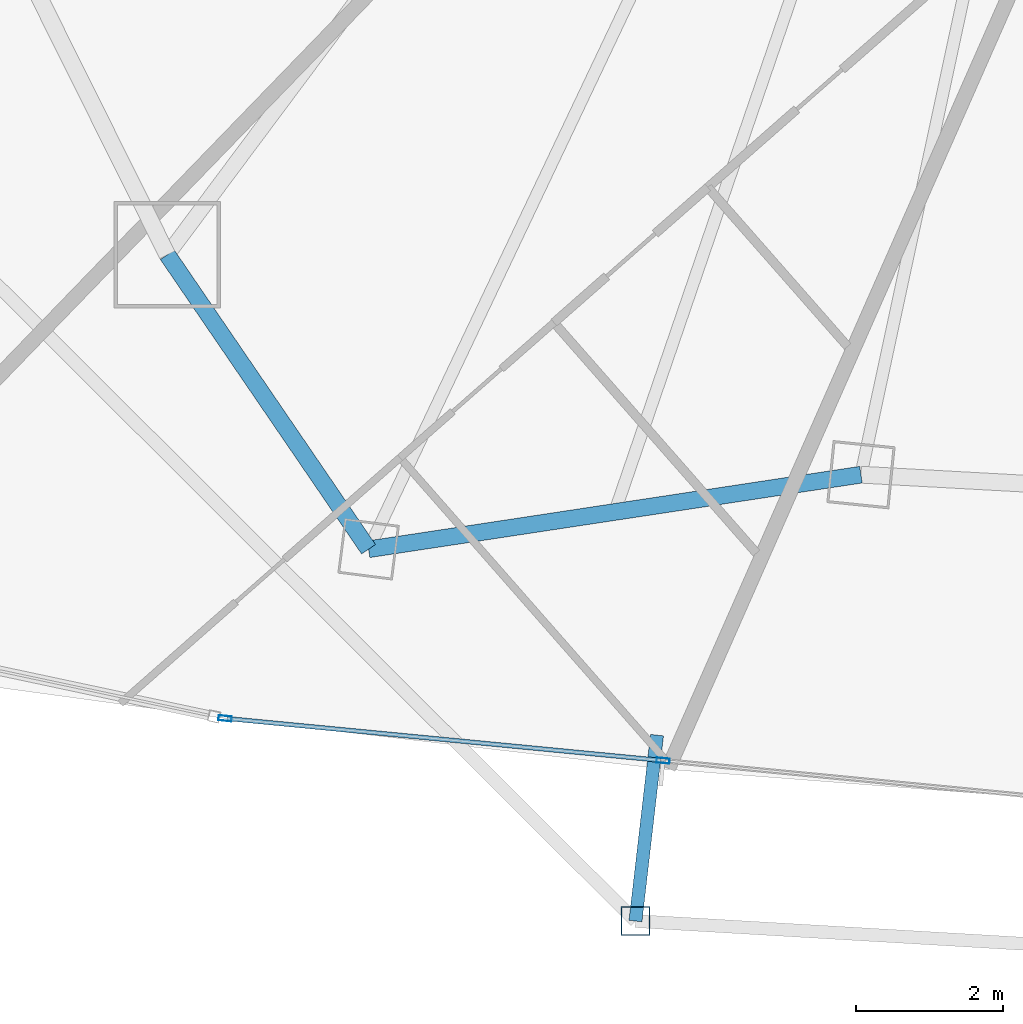
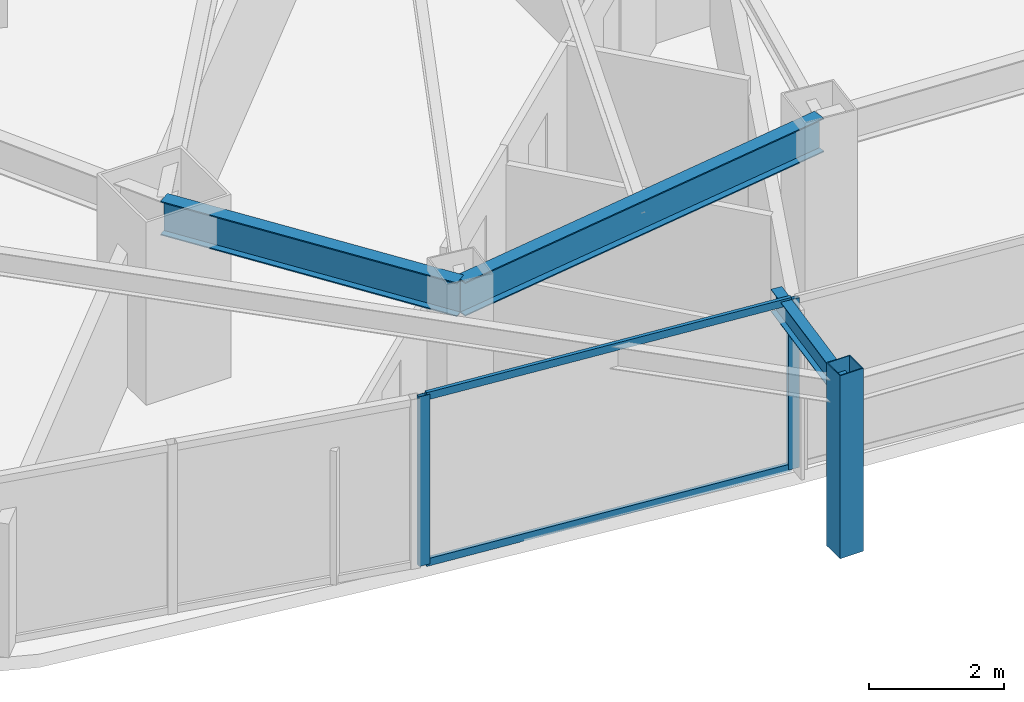
# One storey, part 4 of 31: 5 members, 3 beams, 1 element without a shape of its own.
"""IFC4 building model written with IfcOpenShell, lengths in metres."""

from ifc_helpers import new_model, si_unit, direction, frame, origin, origin_2d, place, context, subcontext, project, spatial, hollow_rectangle, i_section, extrude, material, layer, layer_set, material_profile, profile_set, type_object, element, aggregate, save


model = new_model("IFC4")

# Units and contexts
model_context = context("Model", 3, precision=1e-05, world=origin(), true_north=direction((0.0, 1.0)))
body_context = subcontext(model_context, "Body", "Model", "MODEL_VIEW")
ifc_project = project(units=[si_unit("LENGTHUNIT", "METRE"), si_unit("AREAUNIT", "SQUARE_METRE"), si_unit("VOLUMEUNIT", "CUBIC_METRE"), si_unit("PLANEANGLEUNIT", "RADIAN"), si_unit("MASSUNIT", "GRAM", prefix="KILO")], contexts=[model_context])

# Site, building, storey
site_placement = place(None, origin())
site = spatial("IfcSite", under=ifc_project, at=site_placement, CompositionType="ELEMENT")
building_placement = place(site_placement, origin())
building = spatial("IfcBuilding", under=site, at=building_placement, Name="Orvanel Arch Residences", CompositionType="ELEMENT")
storey_placement = place(building_placement, frame((0.0, 0.0, 110.0)))
storey = spatial("IfcBuildingStorey", under=building, at=storey_placement, Name="L30", CompositionType="ELEMENT", Elevation=110.0)

# Curtain wall, members
ifc_material_1 = material(Name="Bronze-anodised aluminium AA6063-T6", Category="aluminium")
ifc_layer = layer(ifc_material_1, 0.179931640625)
ifc_layer_set = layer_set([ifc_layer], Name="Bronze-anodised aluminium AA6063-T6")
curtain_wall_type = type_object("IfcCurtainWallType", Name="CW3-MID-SYS", PredefinedType="NOTDEFINED", material=ifc_layer_set)
curtain_wall_placement = place(storey_placement, origin())
curtain_wall = element("IfcCurtainWall", 1, at=curtain_wall_placement, inside=storey, type_object=curtain_wall_type, Name="L30 CW3-MID-SYS Unitised Curtain Wall", PredefinedType="NOTDEFINED")
ifc_material_profile_1 = material_profile(ifc_material_1, hollow_rectangle(XDim=0.070068359375, YDim=0.179931640625, WallThickness=0.00439453125, at=origin_2d()), Name="ALU180x70x4.5")
ifc_profile_set_1 = profile_set([ifc_material_profile_1], Name="Bronze-anodised aluminium AA6063-T6")
member_type_1 = type_object("IfcMemberType", Name="MUL-180x70", PredefinedType="MULLION", material=ifc_profile_set_1)
member_1_placement = place(storey_placement, frame((14.98486328125, 4.03564453125, 0.0), z_axis=(0.0, 0.0, 1.0), x_axis=(0.095998315385, 0.995381496434, 0.0)))
member_1 = element("IfcMember", 2, at=member_1_placement, type_object=member_type_1, Name="CW-S3 mullion 1", PredefinedType="MULLION", context=body_context, shape_type="SweptSolid", body=[
    extrude(hollow_rectangle(XDim=0.070068359375, YDim=0.179931640625, WallThickness=0.00439453125, at=origin_2d()), origin(), (0.0, 0.0, 1.0), 3.06005859375),
])
member_2_placement = place(storey_placement, frame((20.95361328125, 3.4599609375, 0.0), z_axis=(0.0, 0.0, 1.0), x_axis=(0.095998315385, 0.995381496434, 0.0)))
member_2 = element("IfcMember", 3, at=member_2_placement, type_object=member_type_1, Name="CW-S3 mullion 2", PredefinedType="MULLION", context=body_context, shape_type="SweptSolid", body=[
    extrude(hollow_rectangle(XDim=0.070068359375, YDim=0.179931640625, WallThickness=0.00439453125, at=origin_2d()), origin(), (0.0, 0.0, 1.0), 3.06005859375),
])

# Beams
ifc_material_2 = material(Name="Structural steel AS/NZS 3679.1 Grade 300 (300 MPa)", Category="steel")
ifc_material_profile_2 = material_profile(ifc_material_2, i_section(OverallWidth=0.177978515625, OverallDepth=0.406005859375, WebThickness=0.0078125, FlangeThickness=0.0126953125, at=origin_2d()), Name="410UB59.7")
ifc_profile_set_2 = profile_set([ifc_material_profile_2], Name="Structural steel AS/NZS 3679.1 Grade 300 (300 MPa)")
beam_type_1 = type_object("IfcBeamType", Name="OB-410UB-EXT", PredefinedType="SPANDREL", material=ifc_profile_set_2)
beam_1_placement = place(storey_placement, frame((20.8701171875, 3.806884765625, 2.85693359375), z_axis=(-0.114991150443, -0.993366516106, 0.0), x_axis=(0.993366516106, -0.114991150443, 0.0)))
element("IfcBeam", 4, at=beam_1_placement, inside=storey, type_object=beam_type_1, Name="L30 Outer Frame Radial Tie Beam 05", PredefinedType="SPANDREL", context=body_context, shape_type="SweptSolid", body=[
    extrude(i_section(OverallWidth=0.177978515625, OverallDepth=0.406005859375, WebThickness=0.0078125, FlangeThickness=0.0126953125, at=origin_2d()), origin(), (0.0, 0.0, 1.0), 2.5498046875),
])
ifc_material_profile_3 = material_profile(ifc_material_2, i_section(OverallWidth=0.22900390625, OverallDepth=0.612060546875, WebThickness=0.011962890625, FlangeThickness=0.01953125, at=origin_2d()), Name="610UB125")
ifc_profile_set_3 = profile_set([ifc_material_profile_3], Name="Structural steel AS/NZS 3679.1 Grade 300 (300 MPa)")
beam_type_2 = type_object("IfcBeamType", Name="SP-610UB", PredefinedType="SPANDREL", material=ifc_profile_set_3)
beam_2_placement = place(storey_placement, frame((14.198974609375, 10.35107421875, 2.75390625), z_axis=(0.564251579852, -0.825602903722, 0.0), x_axis=(0.825602903722, 0.564251579852, 0.0)))
element("IfcBeam", 5, at=beam_2_placement, inside=storey, type_object=beam_type_2, Name="L30 Perimeter Spandrel Beam 03", PredefinedType="SPANDREL", context=body_context, shape_type="SweptSolid", body=[
    extrude(i_section(OverallWidth=0.22900390625, OverallDepth=0.612060546875, WebThickness=0.011962890625, FlangeThickness=0.01953125, at=origin_2d()), origin(), (0.0, 0.0, 1.0), 4.859375),
])
beam_3_placement = place(storey_placement, frame((16.94091796875, 6.339111328125, 2.75390625), z_axis=(0.988726323014, 0.149733958002, 0.0), x_axis=(-0.149733958002, 0.988726323014, 0.0)))
element("IfcBeam", 6, at=beam_3_placement, inside=storey, type_object=beam_type_2, Name="L30 Perimeter Spandrel Beam 04", PredefinedType="SPANDREL", context=body_context, shape_type="SweptSolid", body=[
    extrude(i_section(OverallWidth=0.22900390625, OverallDepth=0.612060546875, WebThickness=0.011962890625, FlangeThickness=0.01953125, at=origin_2d()), origin(), (0.0, 0.0, 1.0), 6.784423828125),
])

# Member
ifc_material_3 = material(Name="Structural steel AS/NZS 1163 C450L0 (Grade 450)", Category="steel")
ifc_material_profile_4 = material_profile(ifc_material_3, hollow_rectangle(XDim=0.39990234375, YDim=0.39990234375, WallThickness=0.01611328125, at=origin_2d()), Name="SHS400x400x16")
ifc_profile_set_4 = profile_set([ifc_material_profile_4], Name="Structural steel AS/NZS 1163 C450L0 (Grade 450)")
member_type_2 = type_object("IfcMemberType", Name="ST-400SHS-EXT", PredefinedType="STRUT", material=ifc_profile_set_4)
member_3_placement = place(storey_placement, frame((20.576904296875, 1.27392578125, 0.0), z_axis=(0.0, 0.0, 1.0), x_axis=(1.0, 0.0, 0.0)))
element("IfcMember", 7, at=member_3_placement, inside=storey, type_object=member_type_2, Name="L30 Outer Perimeter Frame Post 05", PredefinedType="STRUT", context=body_context, shape_type="SweptSolid", body=[
    extrude(hollow_rectangle(XDim=0.39990234375, YDim=0.39990234375, WallThickness=0.01611328125, at=origin_2d()), origin(), (0.0, 0.0, 1.0), 3.300048828125),
])

ifc_material_profile_5 = material_profile(ifc_material_1, hollow_rectangle(XDim=0.06005859375, YDim=0.135009765625, WallThickness=0.00390625, at=origin_2d()), Name="ALU135x60x4")
ifc_profile_set_5 = profile_set([ifc_material_profile_5], Name="Bronze-anodised aluminium AA6063-T6")
member_type_3 = type_object("IfcMemberType", Name="TRN-135x60", PredefinedType="USERDEFINED", material=ifc_profile_set_5)
member_4_placement = place(storey_placement, frame((15.019775390625, 4.0322265625, 0.030029296875), z_axis=(0.995382573688, -0.095987144967, 0.0), x_axis=(0.095987144967, 0.995382573688, 0.0)))
member_4 = element("IfcMember", 8, at=member_4_placement, type_object=member_type_3, Name="CW-S3 transom 1.1", ObjectType="TRANSOM", PredefinedType="USERDEFINED", context=body_context, shape_type="SweptSolid", body=[
    extrude(hollow_rectangle(XDim=0.06005859375, YDim=0.135009765625, WallThickness=0.00390625, at=origin_2d()), origin(), (0.0, 0.0, 1.0), 5.92626953125),
])

member_5_placement = place(storey_placement, frame((15.019775390625, 4.0322265625, 3.030029296875), z_axis=(0.995382573688, -0.095987144967, 0.0), x_axis=(0.095987144967, 0.995382573688, 0.0)))
member_5 = element("IfcMember", 9, at=member_5_placement, type_object=member_type_3, Name="CW-S3 transom 1.2", ObjectType="TRANSOM", PredefinedType="USERDEFINED", context=body_context, shape_type="SweptSolid", body=[
    extrude(hollow_rectangle(XDim=0.06005859375, YDim=0.135009765625, WallThickness=0.00390625, at=origin_2d()), origin(), (0.0, 0.0, 1.0), 5.92626953125),
])

aggregate(curtain_wall, [member_1, member_2, member_4, member_5])

save(model, "model.ifc")
